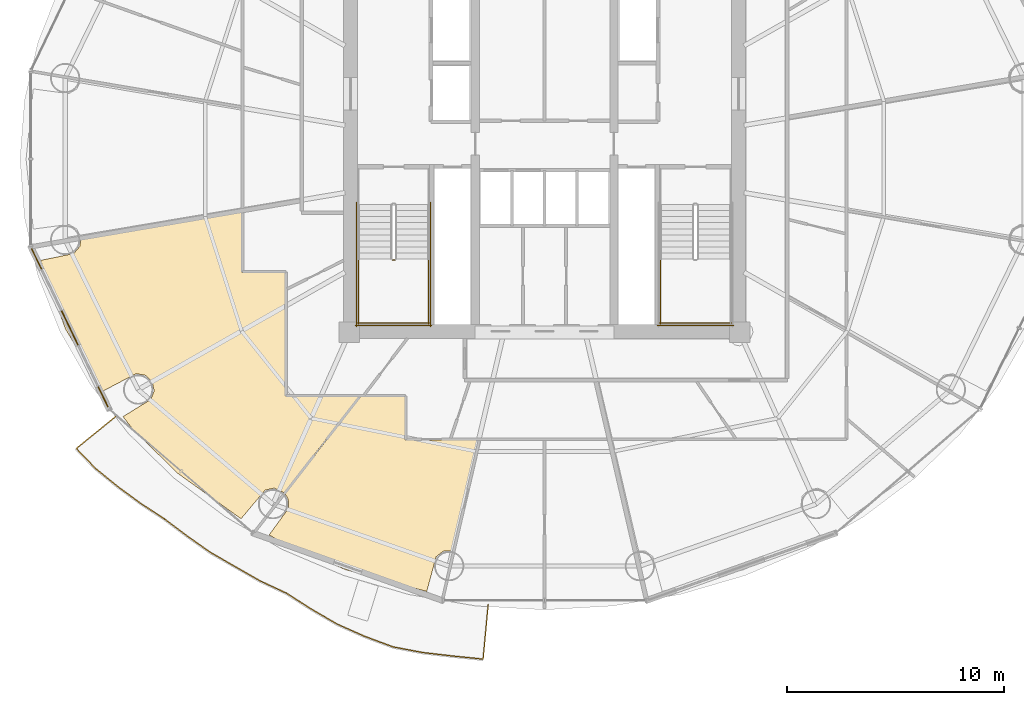
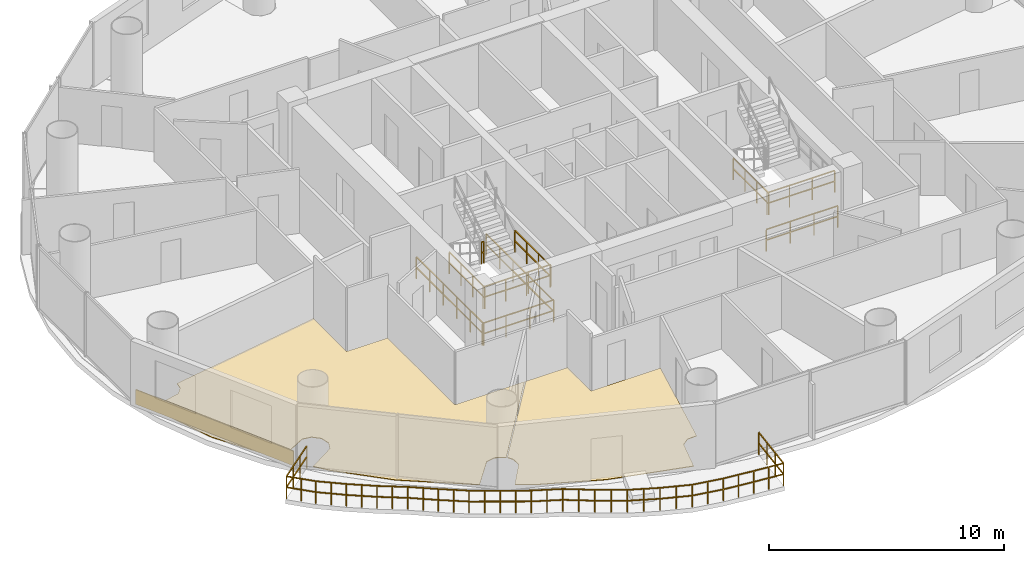
# One storey, part 24 of 26: 11 railings, 3 coverings.
"""IFC4 building model written with IfcOpenShell, lengths in metres."""

from ifc_helpers import new_model, si_unit, direction, frame, origin, origin_2d, place, context, subcontext, project, spatial, polyline, rectangle, outline, extrude, source, transform, mapped, material, layer, layer_set, type_object, element, save


model = new_model("IFC4")

# Units and contexts
model_context = context("Model", 3, precision=1e-05, world=origin(), true_north=direction((-0.2419218956, 0.970295726276)))
body_context = subcontext(model_context, "Body", "Model", "MODEL_VIEW")
ifc_project = project(units=[si_unit("LENGTHUNIT", "METRE"), si_unit("AREAUNIT", "SQUARE_METRE"), si_unit("VOLUMEUNIT", "CUBIC_METRE"), si_unit("PLANEANGLEUNIT", "RADIAN"), si_unit("MASSUNIT", "GRAM", prefix="KILO")], contexts=[model_context])

# Site, building, storey
site_placement = place(None, origin())
site = spatial("IfcSite", under=ifc_project, at=site_placement, CompositionType="ELEMENT")
building_placement = place(site_placement, origin())
building = spatial("IfcBuilding", under=site, at=building_placement, Name="Cobrevalo Terracotta Tower", CompositionType="ELEMENT")
storey_placement = place(building_placement, frame((0.0, 0.0, 142.60009765625)))
storey = spatial("IfcBuildingStorey", under=building, at=storey_placement, Name="L37", CompositionType="ELEMENT", Elevation=142.60009765625)

# Railing
ifc_material_1 = material(Name="Laminated structural glass and stainless steel", Category="steel")
railing_type_1 = type_object("IfcRailingType", Name="Balcony lobe structural glass & terracotta-cap balustrade 1180 mm", PredefinedType="BALUSTRADE", material=ifc_material_1)
railing_1_placement = place(storey_placement, frame((18.270751953125, 14.96533203125, 0.0)))
element("IfcRailing", 1, at=railing_1_placement, inside=storey, type_object=railing_type_1, Name="L37 spiralling balcony lobe balustrade 2", PredefinedType="BALUSTRADE", context=body_context, shape_type="SweptSolid", body=[
    extrude(rectangle(XDim=0.048095703125, YDim=0.048095703125, at=origin_2d()), frame((0.0, 0.0, 1.15576171875), z_axis=(-0.776556382125, -0.630047764364, 0.0), x_axis=(0.630047764364, -0.776556382125, 0.0)), (0.0, 0.0, 1.0), 2.412841796875),
    extrude(rectangle(XDim=0.048095703125, YDim=0.048095703125, at=origin_2d()), frame((0.0, 0.0, 0.58984375), z_axis=(-0.776556382125, -0.630047764364, 0.0), x_axis=(0.630047764364, -0.776556382125, 0.0)), (0.0, 0.0, 1.0), 2.412841796875),
    extrude(rectangle(XDim=0.048095703125, YDim=0.048095703125, at=origin_2d()), frame((-1.873779296875, -1.520263671875, 1.15576171875), z_axis=(0.693616366426, -0.720344595472, 0.0), x_axis=(0.720344595472, 0.693616366426, 0.0)), (0.0, 0.0, 1.0), 1.297119140625),
    extrude(rectangle(XDim=0.048095703125, YDim=0.048095703125, at=origin_2d()), frame((-1.873779296875, -1.520263671875, 0.58984375), z_axis=(0.693616366426, -0.720344595472, 0.0), x_axis=(0.720344595472, 0.693616366426, 0.0)), (0.0, 0.0, 1.0), 1.297119140625),
    extrude(rectangle(XDim=0.048095703125, YDim=0.048095703125, at=origin_2d()), frame((-0.97412109375, -2.45458984375, 1.15576171875), z_axis=(0.775926903693, -0.630822827841, 0.0), x_axis=(0.630822827841, 0.775926903693, 0.0)), (0.0, 0.0, 1.0), 1.3173828125),
    extrude(rectangle(XDim=0.048095703125, YDim=0.048095703125, at=origin_2d()), frame((-0.97412109375, -2.45458984375, 0.58984375), z_axis=(0.775926903693, -0.630822827841, 0.0), x_axis=(0.630822827841, 0.775926903693, 0.0)), (0.0, 0.0, 1.0), 1.3173828125),
    extrude(rectangle(XDim=0.048095703125, YDim=0.048095703125, at=origin_2d()), frame((0.048095703125, -3.28564453125, 1.15576171875), z_axis=(0.806630616705, -0.591055875696, 0.0), x_axis=(0.591055875696, 0.806630616705, 0.0)), (0.0, 0.0, 1.0), 1.306884765625),
    extrude(rectangle(XDim=0.048095703125, YDim=0.048095703125, at=origin_2d()), frame((0.048095703125, -3.28564453125, 0.58984375), z_axis=(0.806630616705, -0.591055875696, 0.0), x_axis=(0.591055875696, 0.806630616705, 0.0)), (0.0, 0.0, 1.0), 1.306884765625),
    extrude(rectangle(XDim=0.048095703125, YDim=0.048095703125, at=origin_2d()), frame((1.102294921875, -4.05810546875, 1.15576171875), z_axis=(0.837058178043, -0.547113888118, 0.0), x_axis=(0.547113888118, 0.837058178043, 0.0)), (0.0, 0.0, 1.0), 1.31103515625),
    extrude(rectangle(XDim=0.048095703125, YDim=0.048095703125, at=origin_2d()), frame((1.102294921875, -4.05810546875, 0.58984375), z_axis=(0.837058178043, -0.547113888118, 0.0), x_axis=(0.547113888118, 0.837058178043, 0.0)), (0.0, 0.0, 1.0), 1.31103515625),
    extrude(rectangle(XDim=0.048095703125, YDim=0.048095703125, at=origin_2d()), frame((2.19970703125, -4.775390625, 1.15576171875), z_axis=(0.798741798158, -0.601673948144, 0.0), x_axis=(0.601673948144, 0.798741798158, 0.0)), (0.0, 0.0, 1.0), 1.3056640625),
    extrude(rectangle(XDim=0.048095703125, YDim=0.048095703125, at=origin_2d()), frame((2.19970703125, -4.775390625, 0.58984375), z_axis=(0.798741798158, -0.601673948144, 0.0), x_axis=(0.601673948144, 0.798741798158, 0.0)), (0.0, 0.0, 1.0), 1.3056640625),
    extrude(rectangle(XDim=0.048095703125, YDim=0.048095703125, at=origin_2d()), frame((3.24267578125, -5.56103515625, 1.15576171875), z_axis=(0.817712056062, -0.575627477949, 0.0), x_axis=(0.575627477949, 0.817712056062, 0.0)), (0.0, 0.0, 1.0), 1.30810546875),
    extrude(rectangle(XDim=0.048095703125, YDim=0.048095703125, at=origin_2d()), frame((3.24267578125, -5.56103515625, 0.58984375), z_axis=(0.817712056062, -0.575627477949, 0.0), x_axis=(0.575627477949, 0.817712056062, 0.0)), (0.0, 0.0, 1.0), 1.30810546875),
    extrude(rectangle(XDim=0.048095703125, YDim=0.048095703125, at=origin_2d()), frame((4.312255859375, -6.31396484375, 1.15576171875), z_axis=(0.866651425113, -0.498914128232, 0.0), x_axis=(0.498914128232, 0.866651425113, 0.0)), (0.0, 0.0, 1.0), 1.3251953125),
    extrude(rectangle(XDim=0.048095703125, YDim=0.048095703125, at=origin_2d()), frame((4.312255859375, -6.31396484375, 0.58984375), z_axis=(0.866651425113, -0.498914128232, 0.0), x_axis=(0.498914128232, 0.866651425113, 0.0)), (0.0, 0.0, 1.0), 1.3251953125),
    extrude(rectangle(XDim=0.048095703125, YDim=0.048095703125, at=origin_2d()), frame((5.460693359375, -6.97509765625, 1.15576171875), z_axis=(0.868186395946, -0.496238230988, 0.0), x_axis=(0.496238230988, 0.868186395946, 0.0)), (0.0, 0.0, 1.0), 1.323974609375),
    extrude(rectangle(XDim=0.048095703125, YDim=0.048095703125, at=origin_2d()), frame((5.460693359375, -6.97509765625, 0.58984375), z_axis=(0.868186395946, -0.496238230988, 0.0), x_axis=(0.496238230988, 0.868186395946, 0.0)), (0.0, 0.0, 1.0), 1.323974609375),
    extrude(rectangle(XDim=0.048095703125, YDim=0.048095703125, at=origin_2d()), frame((6.610107421875, -7.632080078125, 1.15576171875), z_axis=(0.906434991038, -0.422345364627, 0.0), x_axis=(0.422345364627, 0.906434991038, 0.0)), (0.0, 0.0, 1.0), 1.33642578125),
    extrude(rectangle(XDim=0.048095703125, YDim=0.048095703125, at=origin_2d()), frame((6.610107421875, -7.632080078125, 0.58984375), z_axis=(0.906434991038, -0.422345364627, 0.0), x_axis=(0.422345364627, 0.906434991038, 0.0)), (0.0, 0.0, 1.0), 1.33642578125),
    extrude(rectangle(XDim=0.048095703125, YDim=0.048095703125, at=origin_2d()), frame((7.821533203125, -8.196533203125, 1.15576171875), z_axis=(0.842261672011, -0.539068897138, 0.0), x_axis=(0.539068897138, 0.842261672011, 0.0)), (0.0, 0.0, 1.0), 1.3671875),
    extrude(rectangle(XDim=0.048095703125, YDim=0.048095703125, at=origin_2d()), frame((7.821533203125, -8.196533203125, 0.58984375), z_axis=(0.842261672011, -0.539068897138, 0.0), x_axis=(0.539068897138, 0.842261672011, 0.0)), (0.0, 0.0, 1.0), 1.3671875),
    extrude(rectangle(XDim=0.048095703125, YDim=0.048095703125, at=origin_2d()), frame((8.97314453125, -8.93359375, 1.15576171875), z_axis=(0.864610712343, -0.502442351023, 0.0), x_axis=(0.502442351023, 0.864610712343, 0.0)), (0.0, 0.0, 1.0), 1.3818359375),
    extrude(rectangle(XDim=0.048095703125, YDim=0.048095703125, at=origin_2d()), frame((8.97314453125, -8.93359375, 0.58984375), z_axis=(0.864610712343, -0.502442351023, 0.0), x_axis=(0.502442351023, 0.864610712343, 0.0)), (0.0, 0.0, 1.0), 1.3818359375),
    extrude(rectangle(XDim=0.048095703125, YDim=0.048095703125, at=origin_2d()), frame((10.16796875, -9.6279296875, 1.15576171875), z_axis=(0.914151492465, -0.40537272827, 0.0), x_axis=(0.40537272827, 0.914151492465, 0.0)), (0.0, 0.0, 1.0), 1.390625),
    extrude(rectangle(XDim=0.048095703125, YDim=0.048095703125, at=origin_2d()), frame((10.16796875, -9.6279296875, 0.58984375), z_axis=(0.914151492465, -0.40537272827, 0.0), x_axis=(0.40537272827, 0.914151492465, 0.0)), (0.0, 0.0, 1.0), 1.390625),
    extrude(rectangle(XDim=0.048095703125, YDim=0.048095703125, at=origin_2d()), frame((11.439208984375, -10.191650390625, 1.15576171875), z_axis=(0.937475901231, -0.348050189788, 0.0), x_axis=(0.348050189788, 0.937475901231, 0.0)), (0.0, 0.0, 1.0), 1.393798828125),
    extrude(rectangle(XDim=0.048095703125, YDim=0.048095703125, at=origin_2d()), frame((11.439208984375, -10.191650390625, 0.58984375), z_axis=(0.937475901231, -0.348050189788, 0.0), x_axis=(0.348050189788, 0.937475901231, 0.0)), (0.0, 0.0, 1.0), 1.393798828125),
    extrude(rectangle(XDim=0.048095703125, YDim=0.048095703125, at=origin_2d()), frame((12.745849609375, -10.6767578125, 1.15576171875), z_axis=(0.98248045944, -0.186365626706, 0.0), x_axis=(0.186365626706, 0.98248045944, 0.0)), (0.0, 0.0, 1.0), 1.397705078125),
    extrude(rectangle(XDim=0.048095703125, YDim=0.048095703125, at=origin_2d()), frame((12.745849609375, -10.6767578125, 0.58984375), z_axis=(0.98248045944, -0.186365626706, 0.0), x_axis=(0.186365626706, 0.98248045944, 0.0)), (0.0, 0.0, 1.0), 1.397705078125),
    extrude(rectangle(XDim=0.048095703125, YDim=0.048095703125, at=origin_2d()), frame((14.119140625, -10.937255859375, 1.15576171875), z_axis=(0.993346893194, -0.115160539172, 0.0), x_axis=(0.115160539172, 0.993346893194, 0.0)), (0.0, 0.0, 1.0), 1.399169921875),
    extrude(rectangle(XDim=0.048095703125, YDim=0.048095703125, at=origin_2d()), frame((14.119140625, -10.937255859375, 0.58984375), z_axis=(0.993346893194, -0.115160539172, 0.0), x_axis=(0.115160539172, 0.993346893194, 0.0)), (0.0, 0.0, 1.0), 1.399169921875),
    extrude(rectangle(XDim=0.048095703125, YDim=0.048095703125, at=origin_2d()), frame((15.509033203125, -11.098388671875, 1.15576171875), z_axis=(0.994835945684, -0.101496015567, 0.0), x_axis=(0.101496015567, 0.994835945684, 0.0)), (0.0, 0.0, 1.0), 1.395263671875),
    extrude(rectangle(XDim=0.048095703125, YDim=0.048095703125, at=origin_2d()), frame((15.509033203125, -11.098388671875, 0.58984375), z_axis=(0.994835945684, -0.101496015567, 0.0), x_axis=(0.101496015567, 0.994835945684, 0.0)), (0.0, 0.0, 1.0), 1.395263671875),
    extrude(rectangle(XDim=0.048095703125, YDim=0.048095703125, at=origin_2d()), frame((16.89697265625, -11.239990234375, 1.15576171875), z_axis=(0.093031820485, 0.995663135994, 0.0), x_axis=(-0.995663135994, 0.093031820485, 0.0)), (0.0, 0.0, 1.0), 2.52197265625),
    extrude(rectangle(XDim=0.048095703125, YDim=0.048095703125, at=origin_2d()), frame((16.89697265625, -11.239990234375, 0.58984375), z_axis=(0.093031820485, 0.995663135994, 0.0), x_axis=(-0.995663135994, 0.093031820485, 0.0)), (0.0, 0.0, 1.0), 2.52197265625),
    extrude(rectangle(XDim=0.0419921875, YDim=0.0419921875, at=origin_2d()), origin(), (0.0, 0.0, 1.0), 1.1318359375),
    extrude(rectangle(XDim=0.0419921875, YDim=0.0419921875, at=origin_2d()), frame((-0.62451171875, -0.5068359375, 0.0)), (0.0, 0.0, 1.0), 1.1318359375),
    extrude(rectangle(XDim=0.0419921875, YDim=0.0419921875, at=origin_2d()), frame((-1.249267578125, -1.013427734375, 0.0)), (0.0, 0.0, 1.0), 1.1318359375),
    extrude(rectangle(XDim=0.0419921875, YDim=0.0419921875, at=origin_2d()), frame((-1.873779296875, -1.520263671875, 0.0)), (0.0, 0.0, 1.0), 1.1318359375),
    extrude(rectangle(XDim=0.0419921875, YDim=0.0419921875, at=origin_2d()), frame((-1.423828125, -1.9873046875, 0.0)), (0.0, 0.0, 1.0), 1.1318359375),
    extrude(rectangle(XDim=0.0419921875, YDim=0.0419921875, at=origin_2d()), frame((-0.97412109375, -2.45458984375, 0.0)), (0.0, 0.0, 1.0), 1.1318359375),
    extrude(rectangle(XDim=0.0419921875, YDim=0.0419921875, at=origin_2d()), frame((-0.462890625, -2.8701171875, 0.0)), (0.0, 0.0, 1.0), 1.1318359375),
    extrude(rectangle(XDim=0.0419921875, YDim=0.0419921875, at=origin_2d()), frame((0.048095703125, -3.28564453125, 0.0)), (0.0, 0.0, 1.0), 1.1318359375),
    extrude(rectangle(XDim=0.0419921875, YDim=0.0419921875, at=origin_2d()), frame((0.5751953125, -3.671875, 0.0)), (0.0, 0.0, 1.0), 1.1318359375),
    extrude(rectangle(XDim=0.0419921875, YDim=0.0419921875, at=origin_2d()), frame((1.102294921875, -4.05810546875, 0.0)), (0.0, 0.0, 1.0), 1.1318359375),
    extrude(rectangle(XDim=0.0419921875, YDim=0.0419921875, at=origin_2d()), frame((1.65087890625, -4.416748046875, 0.0)), (0.0, 0.0, 1.0), 1.1318359375),
    extrude(rectangle(XDim=0.0419921875, YDim=0.0419921875, at=origin_2d()), frame((2.19970703125, -4.775390625, 0.0)), (0.0, 0.0, 1.0), 1.1318359375),
    extrude(rectangle(XDim=0.0419921875, YDim=0.0419921875, at=origin_2d()), frame((2.72119140625, -5.168212890625, 0.0)), (0.0, 0.0, 1.0), 1.1318359375),
    extrude(rectangle(XDim=0.0419921875, YDim=0.0419921875, at=origin_2d()), frame((3.24267578125, -5.56103515625, 0.0)), (0.0, 0.0, 1.0), 1.1318359375),
    extrude(rectangle(XDim=0.0419921875, YDim=0.0419921875, at=origin_2d()), frame((3.77734375, -5.9375, 0.0)), (0.0, 0.0, 1.0), 1.1318359375),
    extrude(rectangle(XDim=0.0419921875, YDim=0.0419921875, at=origin_2d()), frame((4.312255859375, -6.31396484375, 0.0)), (0.0, 0.0, 1.0), 1.1318359375),
    extrude(rectangle(XDim=0.0419921875, YDim=0.0419921875, at=origin_2d()), frame((4.886474609375, -6.64453125, 0.0)), (0.0, 0.0, 1.0), 1.1318359375),
    extrude(rectangle(XDim=0.0419921875, YDim=0.0419921875, at=origin_2d()), frame((5.460693359375, -6.97509765625, 0.0)), (0.0, 0.0, 1.0), 1.1318359375),
    extrude(rectangle(XDim=0.0419921875, YDim=0.0419921875, at=origin_2d()), frame((6.035400390625, -7.3037109375, 0.0)), (0.0, 0.0, 1.0), 1.1318359375),
    extrude(rectangle(XDim=0.0419921875, YDim=0.0419921875, at=origin_2d()), frame((6.610107421875, -7.632080078125, 0.0)), (0.0, 0.0, 1.0), 1.1318359375),
    extrude(rectangle(XDim=0.0419921875, YDim=0.0419921875, at=origin_2d()), frame((7.2158203125, -7.914306640625, 0.0)), (0.0, 0.0, 1.0), 1.1318359375),
    extrude(rectangle(XDim=0.0419921875, YDim=0.0419921875, at=origin_2d()), frame((7.821533203125, -8.196533203125, 0.0)), (0.0, 0.0, 1.0), 1.1318359375),
    extrude(rectangle(XDim=0.0419921875, YDim=0.0419921875, at=origin_2d()), frame((8.3974609375, -8.56494140625, 0.0)), (0.0, 0.0, 1.0), 1.1318359375),
    extrude(rectangle(XDim=0.0419921875, YDim=0.0419921875, at=origin_2d()), frame((8.97314453125, -8.93359375, 0.0)), (0.0, 0.0, 1.0), 1.1318359375),
    extrude(rectangle(XDim=0.0419921875, YDim=0.0419921875, at=origin_2d()), frame((9.570556640625, -9.28076171875, 0.0)), (0.0, 0.0, 1.0), 1.1318359375),
    extrude(rectangle(XDim=0.0419921875, YDim=0.0419921875, at=origin_2d()), frame((10.16796875, -9.6279296875, 0.0)), (0.0, 0.0, 1.0), 1.1318359375),
    extrude(rectangle(XDim=0.0419921875, YDim=0.0419921875, at=origin_2d()), frame((10.8037109375, -9.90966796875, 0.0)), (0.0, 0.0, 1.0), 1.1318359375),
    extrude(rectangle(XDim=0.0419921875, YDim=0.0419921875, at=origin_2d()), frame((11.439208984375, -10.191650390625, 0.0)), (0.0, 0.0, 1.0), 1.1318359375),
    extrude(rectangle(XDim=0.0419921875, YDim=0.0419921875, at=origin_2d()), frame((12.092529296875, -10.43408203125, 0.0)), (0.0, 0.0, 1.0), 1.1318359375),
    extrude(rectangle(XDim=0.0419921875, YDim=0.0419921875, at=origin_2d()), frame((12.745849609375, -10.6767578125, 0.0)), (0.0, 0.0, 1.0), 1.1318359375),
    extrude(rectangle(XDim=0.0419921875, YDim=0.0419921875, at=origin_2d()), frame((13.4326171875, -10.80712890625, 0.0)), (0.0, 0.0, 1.0), 1.1318359375),
    extrude(rectangle(XDim=0.0419921875, YDim=0.0419921875, at=origin_2d()), frame((14.119140625, -10.937255859375, 0.0)), (0.0, 0.0, 1.0), 1.1318359375),
    extrude(rectangle(XDim=0.0419921875, YDim=0.0419921875, at=origin_2d()), frame((14.81396484375, -11.017822265625, 0.0)), (0.0, 0.0, 1.0), 1.1318359375),
    extrude(rectangle(XDim=0.0419921875, YDim=0.0419921875, at=origin_2d()), frame((15.509033203125, -11.098388671875, 0.0)), (0.0, 0.0, 1.0), 1.1318359375),
    extrude(rectangle(XDim=0.0419921875, YDim=0.0419921875, at=origin_2d()), frame((16.203125, -11.169189453125, 0.0)), (0.0, 0.0, 1.0), 1.1318359375),
    extrude(rectangle(XDim=0.0419921875, YDim=0.0419921875, at=origin_2d()), frame((16.89697265625, -11.239990234375, 0.0)), (0.0, 0.0, 1.0), 1.1318359375),
    extrude(rectangle(XDim=0.0419921875, YDim=0.0419921875, at=origin_2d()), frame((16.97509765625, -10.403076171875, 0.0)), (0.0, 0.0, 1.0), 1.1318359375),
    extrude(rectangle(XDim=0.0419921875, YDim=0.0419921875, at=origin_2d()), frame((17.053466796875, -9.56591796875, 0.0)), (0.0, 0.0, 1.0), 1.1318359375),
    extrude(rectangle(XDim=0.0419921875, YDim=0.0419921875, at=origin_2d()), frame((17.131591796875, -8.72900390625, 0.0)), (0.0, 0.0, 1.0), 1.1318359375),
])

# Coverings
ifc_material_2 = material(Name="Engineered Brazilian hardwood flooring", Category="wood")
ifc_layer_1 = layer(ifc_material_2, 0.028076171875)
ifc_layer_set_1 = layer_set([ifc_layer_1], Name="Engineered Brazilian hardwood flooring")
covering_type_1 = type_object("IfcCoveringType", Name="Engineered Hardwood Suite Flooring 28", PredefinedType="FLOORING", material=ifc_layer_set_1)
covering_1_placement = place(storey_placement, origin())
element("IfcCovering", 2, at=covering_1_placement, inside=storey, type_object=covering_type_1, Name="Flat L37C Penthouse Living and Dining Room floor finish", PredefinedType="FLOORING", context=body_context, shape_type="SweptSolid", body=[
    extrude(outline(polyline([(21.0849609375, 12.291259765625), (19.02197265625, 14.309326171875), (18.551513671875, 14.91357421875), (19.834228515625, 15.705810546875), (19.988525390625, 16.10693359375), (19.89404296875, 16.526123046875), (19.582763671875, 16.822021484375), (19.1591796875, 16.895263671875), (17.632568359375, 16.09375), (15.900390625, 18.948486328125), (14.748291015625, 22.121826171875), (16.2763671875, 22.43701171875), (16.55859375, 22.760986328125), (16.617431640625, 23.1240234375), (24.044921875, 24.393798828125), (24.044921875, 21.570068359375), (26.054931640625, 21.570068359375), (26.054931640625, 15.85498046875), (29.466064453125, 15.85498046875), (25.997802734375, 11.3935546875), (25.529296875, 11.615234375), (25.109619140625, 11.522705078125), (23.99755859375, 10.2001953125), (21.0849609375, 12.291259765625)])), origin(), (0.0, 0.0, 1.0), 0.02978515625),
])
covering_2_placement = place(storey_placement, origin())
element("IfcCovering", 3, at=covering_2_placement, inside=storey, type_object=covering_type_1, Name="Flat L37C Master Bedroom floor finish", PredefinedType="FLOORING", context=body_context, shape_type="SweptSolid", body=[
    extrude(outline(polyline([(28.84521484375, 7.84228515625), (26.038818359375, 9.02978515625), (25.295166015625, 9.4560546875), (26.184326171875, 10.67724609375), (26.175537109375, 11.106689453125), (26.02490234375, 11.363525390625), (29.5166015625, 15.85498046875), (31.570068359375, 15.85498046875), (31.570068359375, 13.844970703125), (34.9814453125, 13.844970703125), (33.796630859375, 8.72607421875), (33.3408203125, 8.7109375), (32.99951171875, 8.44970703125), (32.567138671875, 6.849853515625), (28.84521484375, 7.84228515625)])), origin(), (0.0, 0.0, 1.0), 0.02978515625),
])

# Railings
ifc_material_3 = material(Name="Painted galvanized steel", Category="steel")
railing_type_2 = type_object("IfcRailingType", Name="Stair Well Guard Balustrade 1150", PredefinedType="GUARDRAIL", material=ifc_material_3)
railing_2_placement = place(storey_placement, frame((30.97509765625, 22.1298828125, 1.7998046875)))
element("IfcRailing", 4, at=railing_2_placement, inside=storey, type_object=railing_type_2, Name="L37 ST-1 stair guard 2", PredefinedType="GUARDRAIL", context=body_context, shape_type="SweptSolid", body=[
    extrude(rectangle(XDim=0.048095703125, YDim=0.048095703125, at=origin_2d()), frame((0.0, 0.0, 1.1259765625), z_axis=(1.0, 0.0, 0.0), x_axis=(0.0, 1.0, 0.0)), (0.0, 0.0, 1.0), 0.119873046875),
    extrude(rectangle(XDim=0.048095703125, YDim=0.048095703125, at=origin_2d()), frame((0.0, 0.0, 0.574951171875), z_axis=(1.0, 0.0, 0.0), x_axis=(0.0, 1.0, 0.0)), (0.0, 0.0, 1.0), 0.119873046875),
    extrude(rectangle(XDim=0.0419921875, YDim=0.0419921875, at=origin_2d()), origin(), (0.0, 0.0, 1.0), 1.101806640625),
    extrude(rectangle(XDim=0.0419921875, YDim=0.0419921875, at=origin_2d()), frame((0.119873046875, 0.0, 0.0)), (0.0, 0.0, 1.0), 1.101806640625),
])
for number, where, name in (
    (5, (29.425048828125, 22.179931640625, 1.7998046875), "L37 ST-1 stair guard 3"),
    (6, (32.64501953125, 22.179931640625, 1.7998046875), "L37 ST-1 stair guard 4"),
):
    element("IfcRailing", number, at=place(storey_placement, frame(where)), inside=storey, type_object=railing_type_2, Name=name, PredefinedType="GUARDRAIL", context=body_context, shape_type="SweptSolid", body=[
        extrude(rectangle(XDim=0.048095703125, YDim=0.048095703125, at=origin_2d()), frame((0.0, 0.0, 1.1259765625), z_axis=(0.0, -1.0, 0.0), x_axis=(1.0, 0.0, 0.0)), (0.0, 0.0, 1.0), 3.0048828125),
        extrude(rectangle(XDim=0.048095703125, YDim=0.048095703125, at=origin_2d()), frame((0.0, 0.0, 0.574951171875), z_axis=(0.0, -1.0, 0.0), x_axis=(1.0, 0.0, 0.0)), (0.0, 0.0, 1.0), 3.0048828125),
        extrude(rectangle(XDim=0.0419921875, YDim=0.0419921875, at=origin_2d()), origin(), (0.0, 0.0, 1.0), 1.101806640625),
        extrude(rectangle(XDim=0.0419921875, YDim=0.0419921875, at=origin_2d()), frame((0.0, -1.001708984375, 0.0)), (0.0, 0.0, 1.0), 1.101806640625),
        extrude(rectangle(XDim=0.0419921875, YDim=0.0419921875, at=origin_2d()), frame((0.0, -2.003173828125, 0.0)), (0.0, 0.0, 1.0), 1.101806640625),
        extrude(rectangle(XDim=0.0419921875, YDim=0.0419921875, at=origin_2d()), frame((0.0, -3.0048828125, 0.0)), (0.0, 0.0, 1.0), 1.101806640625),
    ])
railing_3_placement = place(storey_placement, frame((29.375, 19.22509765625, 1.7998046875)))
element("IfcRailing", 7, at=railing_3_placement, inside=storey, type_object=railing_type_2, Name="L37 ST-1 stair guard 5", PredefinedType="GUARDRAIL", context=body_context, shape_type="SweptSolid", body=[
    extrude(rectangle(XDim=0.048095703125, YDim=0.048095703125, at=origin_2d()), frame((0.0, 0.0, 1.1259765625), z_axis=(1.0, 0.0, 0.0), x_axis=(0.0, 1.0, 0.0)), (0.0, 0.0, 1.0), 3.320068359375),
    extrude(rectangle(XDim=0.048095703125, YDim=0.048095703125, at=origin_2d()), frame((0.0, 0.0, 0.574951171875), z_axis=(1.0, 0.0, 0.0), x_axis=(0.0, 1.0, 0.0)), (0.0, 0.0, 1.0), 3.320068359375),
    extrude(rectangle(XDim=0.0419921875, YDim=0.0419921875, at=origin_2d()), origin(), (0.0, 0.0, 1.0), 1.101806640625),
    extrude(rectangle(XDim=0.0419921875, YDim=0.0419921875, at=origin_2d()), frame((1.106689453125, 0.0, 0.0)), (0.0, 0.0, 1.0), 1.101806640625),
    extrude(rectangle(XDim=0.0419921875, YDim=0.0419921875, at=origin_2d()), frame((2.21337890625, 0.0, 0.0)), (0.0, 0.0, 1.0), 1.101806640625),
    extrude(rectangle(XDim=0.0419921875, YDim=0.0419921875, at=origin_2d()), frame((3.320068359375, 0.0, 0.0)), (0.0, 0.0, 1.0), 1.101806640625),
])
for number, where, name in (
    (8, (29.324951171875, 24.800048828125, 0.0), "L37 ST-1 stair guard 10"),
    (9, (32.7451171875, 24.800048828125, 0.0), "L37 ST-1 stair guard 11"),
):
    element("IfcRailing", number, at=place(storey_placement, frame(where)), inside=storey, type_object=railing_type_2, Name=name, PredefinedType="GUARDRAIL", context=body_context, shape_type="SweptSolid", body=[
        extrude(rectangle(XDim=0.048095703125, YDim=0.048095703125, at=origin_2d()), frame((0.0, 0.0, 1.1259765625), z_axis=(0.0, -1.0, 0.0), x_axis=(1.0, 0.0, 0.0)), (0.0, 0.0, 1.0), 5.72509765625),
        extrude(rectangle(XDim=0.048095703125, YDim=0.048095703125, at=origin_2d()), frame((0.0, 0.0, 0.574951171875), z_axis=(0.0, -1.0, 0.0), x_axis=(1.0, 0.0, 0.0)), (0.0, 0.0, 1.0), 5.72509765625),
        extrude(rectangle(XDim=0.0419921875, YDim=0.0419921875, at=origin_2d()), origin(), (0.0, 0.0, 1.0), 1.101806640625),
        extrude(rectangle(XDim=0.0419921875, YDim=0.0419921875, at=origin_2d()), frame((0.0, -1.14501953125, 0.0)), (0.0, 0.0, 1.0), 1.101806640625),
        extrude(rectangle(XDim=0.0419921875, YDim=0.0419921875, at=origin_2d()), frame((0.0, -2.2900390625, 0.0)), (0.0, 0.0, 1.0), 1.101806640625),
        extrude(rectangle(XDim=0.0419921875, YDim=0.0419921875, at=origin_2d()), frame((0.0, -3.43505859375, 0.0)), (0.0, 0.0, 1.0), 1.101806640625),
        extrude(rectangle(XDim=0.0419921875, YDim=0.0419921875, at=origin_2d()), frame((0.0, -4.580078125, 0.0)), (0.0, 0.0, 1.0), 1.101806640625),
        extrude(rectangle(XDim=0.0419921875, YDim=0.0419921875, at=origin_2d()), frame((0.0, -5.72509765625, 0.0)), (0.0, 0.0, 1.0), 1.101806640625),
    ])
railing_4_placement = place(storey_placement, frame((29.27490234375, 19.125, 0.0)))
element("IfcRailing", 10, at=railing_4_placement, inside=storey, type_object=railing_type_2, Name="L37 ST-1 stair guard 12", PredefinedType="GUARDRAIL", context=body_context, shape_type="SweptSolid", body=[
    extrude(rectangle(XDim=0.048095703125, YDim=0.048095703125, at=origin_2d()), frame((0.0, 0.0, 1.1259765625), z_axis=(1.0, 0.0, 0.0), x_axis=(0.0, 1.0, 0.0)), (0.0, 0.0, 1.0), 3.52001953125),
    extrude(rectangle(XDim=0.048095703125, YDim=0.048095703125, at=origin_2d()), frame((0.0, 0.0, 0.574951171875), z_axis=(1.0, 0.0, 0.0), x_axis=(0.0, 1.0, 0.0)), (0.0, 0.0, 1.0), 3.52001953125),
    extrude(rectangle(XDim=0.0419921875, YDim=0.0419921875, at=origin_2d()), origin(), (0.0, 0.0, 1.0), 1.101806640625),
    extrude(rectangle(XDim=0.0419921875, YDim=0.0419921875, at=origin_2d()), frame((1.17333984375, 0.0, 0.0)), (0.0, 0.0, 1.0), 1.101806640625),
    extrude(rectangle(XDim=0.0419921875, YDim=0.0419921875, at=origin_2d()), frame((2.3466796875, 0.0, 0.0)), (0.0, 0.0, 1.0), 1.101806640625),
    extrude(rectangle(XDim=0.0419921875, YDim=0.0419921875, at=origin_2d()), frame((3.52001953125, 0.0, 0.0)), (0.0, 0.0, 1.0), 1.101806640625),
])
railing_5_placement = place(storey_placement, frame((43.35498046875, 22.179931640625, 1.7998046875)))
element("IfcRailing", 11, at=railing_5_placement, inside=storey, type_object=railing_type_2, Name="L37 ST-2 stair guard 3", PredefinedType="GUARDRAIL", context=body_context, shape_type="SweptSolid", body=[
    extrude(rectangle(XDim=0.048095703125, YDim=0.048095703125, at=origin_2d()), frame((0.0, 0.0, 1.1259765625), z_axis=(0.0, -1.0, 0.0), x_axis=(1.0, 0.0, 0.0)), (0.0, 0.0, 1.0), 3.0048828125),
    extrude(rectangle(XDim=0.048095703125, YDim=0.048095703125, at=origin_2d()), frame((0.0, 0.0, 0.574951171875), z_axis=(0.0, -1.0, 0.0), x_axis=(1.0, 0.0, 0.0)), (0.0, 0.0, 1.0), 3.0048828125),
    extrude(rectangle(XDim=0.0419921875, YDim=0.0419921875, at=origin_2d()), origin(), (0.0, 0.0, 1.0), 1.101806640625),
    extrude(rectangle(XDim=0.0419921875, YDim=0.0419921875, at=origin_2d()), frame((0.0, -1.001708984375, 0.0)), (0.0, 0.0, 1.0), 1.101806640625),
    extrude(rectangle(XDim=0.0419921875, YDim=0.0419921875, at=origin_2d()), frame((0.0, -2.003173828125, 0.0)), (0.0, 0.0, 1.0), 1.101806640625),
    extrude(rectangle(XDim=0.0419921875, YDim=0.0419921875, at=origin_2d()), frame((0.0, -3.0048828125, 0.0)), (0.0, 0.0, 1.0), 1.101806640625),
])
railing_6_placement = place(storey_placement, frame((43.304931640625, 19.22509765625, 1.7998046875)))
element("IfcRailing", 12, at=railing_6_placement, inside=storey, type_object=railing_type_2, Name="L37 ST-2 stair guard 5", PredefinedType="GUARDRAIL", context=body_context, shape_type="SweptSolid", body=[
    extrude(rectangle(XDim=0.048095703125, YDim=0.048095703125, at=origin_2d()), frame((0.0, 0.0, 1.1259765625), z_axis=(1.0, 0.0, 0.0), x_axis=(0.0, 1.0, 0.0)), (0.0, 0.0, 1.0), 3.320068359375),
    extrude(rectangle(XDim=0.048095703125, YDim=0.048095703125, at=origin_2d()), frame((0.0, 0.0, 0.574951171875), z_axis=(1.0, 0.0, 0.0), x_axis=(0.0, 1.0, 0.0)), (0.0, 0.0, 1.0), 3.320068359375),
    extrude(rectangle(XDim=0.0419921875, YDim=0.0419921875, at=origin_2d()), origin(), (0.0, 0.0, 1.0), 1.101806640625),
    extrude(rectangle(XDim=0.0419921875, YDim=0.0419921875, at=origin_2d()), frame((1.106689453125, 0.0, 0.0)), (0.0, 0.0, 1.0), 1.101806640625),
    extrude(rectangle(XDim=0.0419921875, YDim=0.0419921875, at=origin_2d()), frame((2.21337890625, 0.0, 0.0)), (0.0, 0.0, 1.0), 1.101806640625),
    extrude(rectangle(XDim=0.0419921875, YDim=0.0419921875, at=origin_2d()), frame((3.320068359375, 0.0, 0.0)), (0.0, 0.0, 1.0), 1.101806640625),
])
railing_7_placement = place(storey_placement, frame((43.205078125, 19.125, 0.0)))
element("IfcRailing", 13, at=railing_7_placement, inside=storey, type_object=railing_type_2, Name="L37 ST-2 stair guard 12", PredefinedType="GUARDRAIL", context=body_context, shape_type="SweptSolid", body=[
    extrude(rectangle(XDim=0.048095703125, YDim=0.048095703125, at=origin_2d()), frame((0.0, 0.0, 1.1259765625), z_axis=(1.0, 0.0, 0.0), x_axis=(0.0, 1.0, 0.0)), (0.0, 0.0, 1.0), 3.52001953125),
    extrude(rectangle(XDim=0.048095703125, YDim=0.048095703125, at=origin_2d()), frame((0.0, 0.0, 0.574951171875), z_axis=(1.0, 0.0, 0.0), x_axis=(0.0, 1.0, 0.0)), (0.0, 0.0, 1.0), 3.52001953125),
    extrude(rectangle(XDim=0.0419921875, YDim=0.0419921875, at=origin_2d()), origin(), (0.0, 0.0, 1.0), 1.101806640625),
    extrude(rectangle(XDim=0.0419921875, YDim=0.0419921875, at=origin_2d()), frame((1.17333984375, 0.0, 0.0)), (0.0, 0.0, 1.0), 1.101806640625),
    extrude(rectangle(XDim=0.0419921875, YDim=0.0419921875, at=origin_2d()), frame((2.3466796875, 0.0, 0.0)), (0.0, 0.0, 1.0), 1.101806640625),
    extrude(rectangle(XDim=0.0419921875, YDim=0.0419921875, at=origin_2d()), frame((3.52001953125, 0.0, 0.0)), (0.0, 0.0, 1.0), 1.101806640625),
])

# Covering
ifc_material_4 = material(Name="Glazed terracotta facade cladding tile", Category="masonry")
ifc_layer_2 = layer(ifc_material_4, 0.044921875)
ifc_layer_set_2 = layer_set([ifc_layer_2], Name="Glazed terracotta facade cladding tile")
covering_type_2 = type_object("IfcCoveringType", Name="Architectural terracotta rainscreen spandrel cladding 45 mm", PredefinedType="CLADDING", material=ifc_layer_set_2)
shared_shape = source(origin(), body_context, "Body", "SweptSolid", [
    extrude(rectangle(XDim=8.111572265625, YDim=0.044921875, at=origin_2d()), origin(), (0.0, 0.0, 1.0), 0.760009765625),
])
covering_3_placement = place(storey_placement, frame((16.098876953125, 19.00439453125, 0.0400390625), z_axis=(0.0, 0.0, 1.0), x_axis=(0.434209440271, -0.900811945957, 0.0)))
element("IfcCovering", 14, at=covering_3_placement, inside=storey, type_object=covering_type_2, Name="L37 terracotta spandrel cladding S09", PredefinedType="CLADDING", context=body_context, shape_type="MappedRepresentation", body=[
    mapped(shared_shape, transform((0.0, 0.0, 0.0), scale=1.0)),
])

save(model, "model.ifc")
